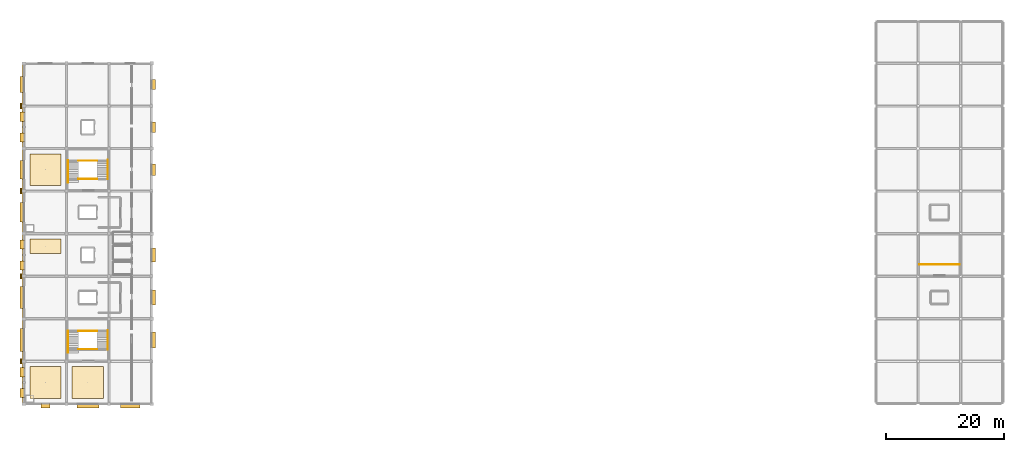
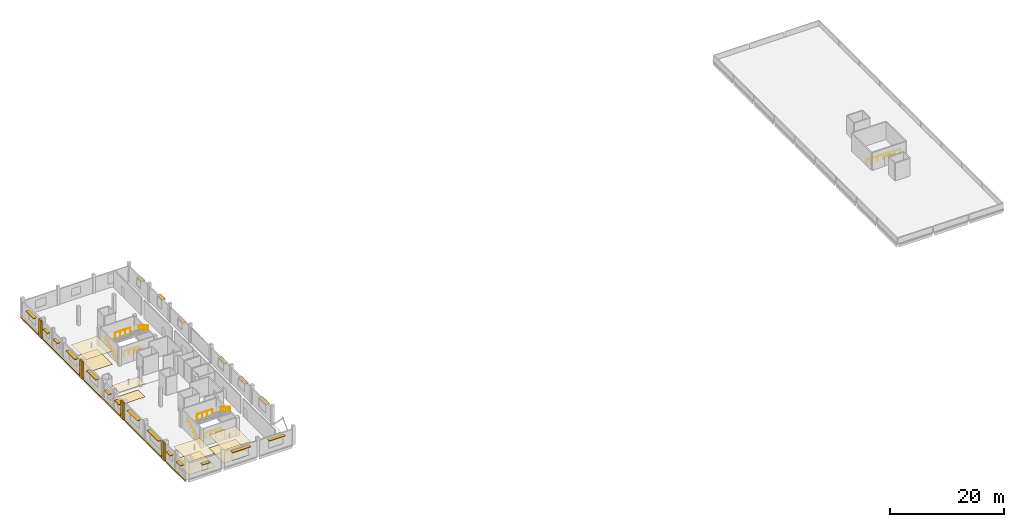
# One storey, part 14 of 15: 20 shading devices, 13 coverings, 9 railings.
"""IFC4 building model written with IfcOpenShell, lengths in metres."""

from ifc_helpers import new_model, si_unit, direction, frame, origin, origin_2d, place, context, subcontext, project, spatial, polyline, rectangle, circle, outline, extrude, material, layer, layer_set, type_object, element, save


model = new_model("IFC4")

# Units and contexts
model_context = context("Model", 3, precision=1e-05, world=origin(), true_north=direction((0.0, 1.0)))
body_context = subcontext(model_context, "Body", "Model", "MODEL_VIEW")
ifc_project = project(units=[si_unit("LENGTHUNIT", "METRE"), si_unit("AREAUNIT", "SQUARE_METRE"), si_unit("VOLUMEUNIT", "CUBIC_METRE"), si_unit("PLANEANGLEUNIT", "RADIAN"), si_unit("MASSUNIT", "GRAM", prefix="KILO")], contexts=[model_context])

# Site, building, storey
site_placement = place(None, origin())
site = spatial("IfcSite", under=ifc_project, at=site_placement, CompositionType="ELEMENT")
building_placement = place(site_placement, origin())
building = spatial("IfcBuilding", under=site, at=building_placement, Name="Kangsadwip Square Police Headquarters", CompositionType="ELEMENT")
storey_placement = place(building_placement, frame((0.0, 0.0, 29.699951171875)))
storey = spatial("IfcBuildingStorey", under=building, at=storey_placement, Name="L07", CompositionType="ELEMENT", Elevation=29.699951171875)

# Railings
ifc_material_1 = material(Name="Structural steel IS 2062 E250 (Grade 250, 250 MPa)", Category="steel")
railing_type_1 = type_object("IfcRailingType", Name="BalustradeGuard1100", PredefinedType="BALUSTRADE", material=ifc_material_1)
for number, where, name in (
    (1, (9.22998046875, 45.239990234375, 0.0), "Stair Guard ST-01 L07-32"),
    (2, (9.22998046875, 48.320068359375, 2.10595703125), "Stair Guard ST-01 L07-33"),
    (3, (9.22998046875, 74.0400390625, 0.0), "Stair Guard ST-02 L07-67"),
    (4, (9.22998046875, 77.1201171875, 2.10595703125), "Stair Guard ST-02 L07-68"),
):
    element("IfcRailing", number, at=place(storey_placement, frame(where)), inside=storey, type_object=railing_type_1, Name=name, PredefinedType="BALUSTRADE", context=body_context, shape_type="SweptSolid", body=[
        extrude(circle(Radius=0.02392578125, at=origin_2d()), frame((0.0, 0.0, 1.09619140625), z_axis=(1.0, 0.0, 0.0), x_axis=(0.0, 1.0, 0.0)), (0.0, 0.0, 1.0), 3.14013671875),
        extrude(circle(Radius=0.02099609375, at=origin_2d()), origin(), (0.0, 0.0, 1.0), 1.072021484375),
        extrude(circle(Radius=0.02099609375, at=origin_2d()), frame((1.046630859375, 0.0, 0.0)), (0.0, 0.0, 1.0), 1.072021484375),
        extrude(circle(Radius=0.02099609375, at=origin_2d()), frame((2.093505859375, 0.0, 0.0)), (0.0, 0.0, 1.0), 1.072021484375),
        extrude(circle(Radius=0.02099609375, at=origin_2d()), frame((3.14013671875, 0.0, 0.0)), (0.0, 0.0, 1.0), 1.072021484375),
    ])
railing_1_placement = place(storey_placement, frame((151.39990234375, 59.60009765625, 0.0)))
element("IfcRailing", 5, at=railing_1_placement, inside=storey, type_object=railing_type_1, Name="Top Stairwell Guard ST-03 L07", PredefinedType="BALUSTRADE", context=body_context, shape_type="SweptSolid", body=[
    extrude(circle(Radius=0.02392578125, at=origin_2d()), frame((0.0, 0.0, 1.09619140625), z_axis=(1.0, 0.0, 0.0), x_axis=(0.0, 1.0, 0.0)), (0.0, 0.0, 1.0), 6.800048828125),
    extrude(circle(Radius=0.02099609375, at=origin_2d()), origin(), (0.0, 0.0, 1.0), 1.072021484375),
    extrude(circle(Radius=0.02099609375, at=origin_2d()), frame((1.13330078125, 0.0, 0.0)), (0.0, 0.0, 1.0), 1.072021484375),
    extrude(circle(Radius=0.02099609375, at=origin_2d()), frame((2.2666015625, 0.0, 0.0)), (0.0, 0.0, 1.0), 1.072021484375),
    extrude(circle(Radius=0.02099609375, at=origin_2d()), frame((3.39990234375, 0.0, 0.0)), (0.0, 0.0, 1.0), 1.072021484375),
    extrude(circle(Radius=0.02099609375, at=origin_2d()), frame((4.533447265625, 0.0, 0.0)), (0.0, 0.0, 1.0), 1.072021484375),
    extrude(circle(Radius=0.02099609375, at=origin_2d()), frame((5.666748046875, 0.0, 0.0)), (0.0, 0.0, 1.0), 1.072021484375),
    extrude(circle(Radius=0.02099609375, at=origin_2d()), frame((6.800048828125, 0.0, 0.0)), (0.0, 0.0, 1.0), 1.072021484375),
])

# Coverings
ifc_material_2 = material(Name="Seamless anti-static epoxy and polished Kota stone interior flooring", Category="masonry")
ifc_layer_1 = layer(ifc_material_2, 0.02001953125)
ifc_layer_set_1 = layer_set([ifc_layer_1], Name="Seamless anti-static epoxy and polished Kota stone interior flooring")
covering_type_1 = type_object("IfcCoveringType", Name="InteriorStoneEpoxyFloor", PredefinedType="FLOORING", material=ifc_layer_set_1)
covering_1_placement = place(storey_placement, origin())
element("IfcCovering", 6, at=covering_1_placement, inside=storey, type_object=covering_type_1, Name="Interior Floor Finish L07-187", PredefinedType="FLOORING", context=body_context, shape_type="SweptSolid", body=[
    extrude(outline(polyline([(1.0, 36.89990234375), (6.300048828125, 36.89990234375), (6.300048828125, 42.300048828125), (1.0, 42.300048828125), (1.0, 36.89990234375)])), origin(), (0.0, 0.0, 1.0), 0.02001953125),
])
covering_2_placement = place(storey_placement, origin())
element("IfcCovering", 7, at=covering_2_placement, inside=storey, type_object=covering_type_1, Name="Interior Floor Finish L07-188", PredefinedType="FLOORING", context=body_context, shape_type="SweptSolid", body=[
    extrude(outline(polyline([(8.10009765625, 36.89990234375), (13.5, 36.89990234375), (13.5, 42.300048828125), (8.10009765625, 42.300048828125), (8.10009765625, 36.89990234375)])), origin(), (0.0, 0.0, 1.0), 0.02001953125),
])
covering_3_placement = place(storey_placement, origin())
element("IfcCovering", 8, at=covering_3_placement, inside=storey, type_object=covering_type_1, Name="Interior Floor Finish L07-189", PredefinedType="FLOORING", context=body_context, shape_type="SweptSolid", body=[
    extrude(outline(polyline([(1.0, 61.449951171875), (6.300048828125, 61.449951171875), (6.300048828125, 63.89990234375), (1.0, 63.89990234375), (1.0, 61.449951171875)])), origin(), (0.0, 0.0, 1.0), 0.02001953125),
])
covering_4_placement = place(storey_placement, origin())
element("IfcCovering", 9, at=covering_4_placement, inside=storey, type_object=covering_type_1, Name="Interior Floor Finish L07-190", PredefinedType="FLOORING", context=body_context, shape_type="SweptSolid", body=[
    extrude(outline(polyline([(1.0, 72.949951171875), (6.300048828125, 72.949951171875), (6.300048828125, 78.300048828125), (1.0, 78.300048828125), (1.0, 72.949951171875)])), origin(), (0.0, 0.0, 1.0), 0.02001953125),
])

# Railings
ifc_material_3 = material(Name="Structural steel IS 2062 E250 (Grade 250, 250 MPa)", Category="steel")
railing_type_2 = type_object("IfcRailingType", Name="StairPitchHandrail900", PredefinedType="HANDRAIL", material=ifc_material_3)
railing_2_placement = place(storey_placement, frame((7.43994140625, 44.639892578125, 0.0)))
element("IfcRailing", 10, at=railing_2_placement, inside=storey, type_object=railing_type_2, Name="Stair Handrail ST-01 L07-34", PredefinedType="HANDRAIL", context=body_context, shape_type="SweptSolid", body=[
    extrude(circle(Radius=0.02392578125, at=origin_2d()), frame((0.0, 0.0, 0.8759765625), z_axis=(0.0, 0.87023930122, 0.492629230367), x_axis=(-1.0, 0.0, 0.0)), (0.0, 0.0, 1.0), 4.27490234375),
    extrude(circle(Radius=0.02099609375, at=origin_2d()), origin(), (0.0, 0.0, 1.0), 0.851806640625),
    extrude(circle(Radius=0.02099609375, at=origin_2d()), frame((0.0, 0.93017578125, 0.5263671875)), (0.0, 0.0, 1.0), 0.851806640625),
    extrude(circle(Radius=0.02099609375, at=origin_2d()), frame((0.0, 1.860107421875, 1.052978515625)), (0.0, 0.0, 1.0), 0.851806640625),
    extrude(circle(Radius=0.02099609375, at=origin_2d()), frame((0.0, 2.7900390625, 1.57958984375)), (0.0, 0.0, 1.0), 0.851806640625),
    extrude(circle(Radius=0.02099609375, at=origin_2d()), frame((0.0, 3.72021484375, 2.10595703125)), (0.0, 0.0, 1.0), 0.851806640625),
])
railing_3_placement = place(storey_placement, frame((14.159912109375, 48.4599609375, 2.10595703125)))
element("IfcRailing", 11, at=railing_3_placement, inside=storey, type_object=railing_type_2, Name="Stair Handrail ST-01 L07-35", PredefinedType="HANDRAIL", context=body_context, shape_type="SweptSolid", body=[
    extrude(circle(Radius=0.02392578125, at=origin_2d()), frame((0.0, 0.0, 0.8759765625), z_axis=(0.0, -0.860248887005, 0.509874349626), x_axis=(1.0, 0.0, 0.0)), (0.0, 0.0, 1.0), 3.81298828125),
    extrude(circle(Radius=0.02099609375, at=origin_2d()), origin(), (0.0, 0.0, 1.0), 0.851806640625),
    extrude(circle(Radius=0.02099609375, at=origin_2d()), frame((0.0, -0.820068359375, 0.486083984375)), (0.0, 0.0, 1.0), 0.851806640625),
    extrude(circle(Radius=0.02099609375, at=origin_2d()), frame((0.0, -1.64013671875, 0.97216796875)), (0.0, 0.0, 1.0), 0.851806640625),
    extrude(circle(Radius=0.02099609375, at=origin_2d()), frame((0.0, -2.4599609375, 1.4580078125)), (0.0, 0.0, 1.0), 0.851806640625),
    extrude(circle(Radius=0.02099609375, at=origin_2d()), frame((0.0, -3.280029296875, 1.944091796875)), (0.0, 0.0, 1.0), 0.851806640625),
])
railing_4_placement = place(storey_placement, frame((7.43994140625, 73.43994140625, 0.0)))
element("IfcRailing", 12, at=railing_4_placement, inside=storey, type_object=railing_type_2, Name="Stair Handrail ST-02 L07-69", PredefinedType="HANDRAIL", context=body_context, shape_type="SweptSolid", body=[
    extrude(circle(Radius=0.02392578125, at=origin_2d()), frame((0.0, 0.0, 0.8759765625), z_axis=(0.0, 0.870225440575, 0.492653714668), x_axis=(-1.0, 0.0, 0.0)), (0.0, 0.0, 1.0), 4.274658203125),
    extrude(circle(Radius=0.02099609375, at=origin_2d()), origin(), (0.0, 0.0, 1.0), 0.851806640625),
    extrude(circle(Radius=0.02099609375, at=origin_2d()), frame((0.0, 0.929931640625, 0.5263671875)), (0.0, 0.0, 1.0), 0.851806640625),
    extrude(circle(Radius=0.02099609375, at=origin_2d()), frame((0.0, 1.85986328125, 1.052978515625)), (0.0, 0.0, 1.0), 0.851806640625),
    extrude(circle(Radius=0.02099609375, at=origin_2d()), frame((0.0, 2.7900390625, 1.57958984375)), (0.0, 0.0, 1.0), 0.851806640625),
    extrude(circle(Radius=0.02099609375, at=origin_2d()), frame((0.0, 3.719970703125, 2.10595703125)), (0.0, 0.0, 1.0), 0.851806640625),
])
railing_5_placement = place(storey_placement, frame((14.159912109375, 77.260009765625, 2.10595703125)))
element("IfcRailing", 13, at=railing_5_placement, inside=storey, type_object=railing_type_2, Name="Stair Handrail ST-02 L07-70", PredefinedType="HANDRAIL", context=body_context, shape_type="SweptSolid", body=[
    extrude(circle(Radius=0.02392578125, at=origin_2d()), frame((0.0, 0.0, 0.8759765625), z_axis=(0.0, -0.860248887005, 0.509874349626), x_axis=(1.0, 0.0, 0.0)), (0.0, 0.0, 1.0), 3.81298828125),
    extrude(circle(Radius=0.02099609375, at=origin_2d()), origin(), (0.0, 0.0, 1.0), 0.851806640625),
    extrude(circle(Radius=0.02099609375, at=origin_2d()), frame((0.0, -0.820068359375, 0.486083984375)), (0.0, 0.0, 1.0), 0.851806640625),
    extrude(circle(Radius=0.02099609375, at=origin_2d()), frame((0.0, -1.64013671875, 0.97216796875)), (0.0, 0.0, 1.0), 0.851806640625),
    extrude(circle(Radius=0.02099609375, at=origin_2d()), frame((0.0, -2.4599609375, 1.4580078125)), (0.0, 0.0, 1.0), 0.851806640625),
    extrude(circle(Radius=0.02099609375, at=origin_2d()), frame((0.0, -3.280029296875, 1.944091796875)), (0.0, 0.0, 1.0), 0.851806640625),
])

# Coverings
ifc_material_4 = material(Name="Perforated mineral-fibre and acoustic baffle suspended ceiling", Category="wood")
ifc_layer_2 = layer(ifc_material_4, 0.02490234375)
ifc_layer_set_2 = layer_set([ifc_layer_2], Name="Perforated mineral-fibre and acoustic baffle suspended ceiling")
covering_type_2 = type_object("IfcCoveringType", Name="SuspendedAcousticCeiling", PredefinedType="CEILING", material=ifc_layer_set_2)
covering_5_placement = place(storey_placement, frame((0.0, 0.0, 2.800048828125)))
element("IfcCovering", 14, at=covering_5_placement, inside=storey, type_object=covering_type_2, Name="Suspended Acoustic Ceiling L07-187", PredefinedType="CEILING", context=body_context, shape_type="SweptSolid", body=[
    extrude(outline(polyline([(1.0, 36.89990234375), (6.300048828125, 36.89990234375), (6.300048828125, 42.300048828125), (1.0, 42.300048828125), (1.0, 36.89990234375)])), origin(), (0.0, 0.0, 1.0), 0.02490234375),
])
covering_6_placement = place(storey_placement, frame((0.0, 0.0, 2.800048828125)))
element("IfcCovering", 15, at=covering_6_placement, inside=storey, type_object=covering_type_2, Name="Suspended Acoustic Ceiling L07-188", PredefinedType="CEILING", context=body_context, shape_type="SweptSolid", body=[
    extrude(outline(polyline([(8.10009765625, 36.89990234375), (13.5, 36.89990234375), (13.5, 42.300048828125), (8.10009765625, 42.300048828125), (8.10009765625, 36.89990234375)])), origin(), (0.0, 0.0, 1.0), 0.02490234375),
])
covering_7_placement = place(storey_placement, frame((0.0, 0.0, 2.800048828125)))
element("IfcCovering", 16, at=covering_7_placement, inside=storey, type_object=covering_type_2, Name="Suspended Acoustic Ceiling L07-189", PredefinedType="CEILING", context=body_context, shape_type="SweptSolid", body=[
    extrude(outline(polyline([(1.0, 61.449951171875), (6.300048828125, 61.449951171875), (6.300048828125, 63.89990234375), (1.0, 63.89990234375), (1.0, 61.449951171875)])), origin(), (0.0, 0.0, 1.0), 0.02490234375),
])
covering_8_placement = place(storey_placement, frame((0.0, 0.0, 2.800048828125)))
element("IfcCovering", 17, at=covering_8_placement, inside=storey, type_object=covering_type_2, Name="Suspended Acoustic Ceiling L07-190", PredefinedType="CEILING", context=body_context, shape_type="SweptSolid", body=[
    extrude(outline(polyline([(1.0, 72.949951171875), (6.300048828125, 72.949951171875), (6.300048828125, 78.300048828125), (1.0, 78.300048828125), (1.0, 72.949951171875)])), origin(), (0.0, 0.0, 1.0), 0.02490234375),
])
ifc_material_5 = material(Name="Glazed architectural terracotta masonry rainscreen", Category="masonry")
ifc_layer_3 = layer(ifc_material_5, 0.034912109375)
ifc_layer_set_3 = layer_set([ifc_layer_3], Name="Glazed architectural terracotta masonry rainscreen")
covering_type_3 = type_object("IfcCoveringType", Name="TerracottaPierCladding", PredefinedType="CLADDING", material=ifc_layer_set_3)
covering_9_placement = place(storey_placement, origin())
element("IfcCovering", 18, at=covering_9_placement, inside=storey, type_object=covering_type_3, Name="Terracotta Pier Cladding L07-150", PredefinedType="CLADDING", context=body_context, shape_type="SweptSolid", body=[
    extrude(outline(polyline([(-0.64990234375, 42.760009765625), (-0.330078125, 42.760009765625), (-0.330078125, 43.639892578125), (-0.64990234375, 43.639892578125), (-0.64990234375, 42.760009765625)])), origin(), (0.0, 0.0, 1.0), 3.800048828125),
])
covering_10_placement = place(storey_placement, origin())
element("IfcCovering", 19, at=covering_10_placement, inside=storey, type_object=covering_type_3, Name="Terracotta Pier Cladding L07-151", PredefinedType="CLADDING", context=body_context, shape_type="SweptSolid", body=[
    extrude(outline(polyline([(-0.64990234375, 57.159912109375), (-0.330078125, 57.159912109375), (-0.330078125, 58.0400390625), (-0.64990234375, 58.0400390625), (-0.64990234375, 57.159912109375)])), origin(), (0.0, 0.0, 1.0), 3.800048828125),
])
covering_11_placement = place(storey_placement, origin())
element("IfcCovering", 20, at=covering_11_placement, inside=storey, type_object=covering_type_3, Name="Terracotta Pier Cladding L07-152", PredefinedType="CLADDING", context=body_context, shape_type="SweptSolid", body=[
    extrude(outline(polyline([(-0.64990234375, 71.56005859375), (-0.330078125, 71.56005859375), (-0.330078125, 72.43994140625), (-0.64990234375, 72.43994140625), (-0.64990234375, 71.56005859375)])), origin(), (0.0, 0.0, 1.0), 3.800048828125),
])
covering_12_placement = place(storey_placement, origin())
element("IfcCovering", 21, at=covering_12_placement, inside=storey, type_object=covering_type_3, Name="Terracotta Pier Cladding L07-153", PredefinedType="CLADDING", context=body_context, shape_type="SweptSolid", body=[
    extrude(outline(polyline([(-0.64990234375, 85.9599609375), (-0.330078125, 85.9599609375), (-0.330078125, 86.840087890625), (-0.64990234375, 86.840087890625), (-0.64990234375, 85.9599609375)])), origin(), (0.0, 0.0, 1.0), 3.800048828125),
])
covering_13_placement = place(storey_placement, frame((0.0, 0.0, -0.219970703125)))
element("IfcCovering", 22, at=covering_13_placement, inside=storey, type_object=covering_type_3, Name="Terracotta Cornice Belt L07-156", PredefinedType="CLADDING", context=body_context, shape_type="SweptSolid", body=[
    extrude(outline(polyline([(-0.360107421875, 36.0), (0.02001953125, 36.0), (0.02001953125, 93.60009765625), (-0.360107421875, 93.60009765625), (-0.360107421875, 36.0)])), origin(), (0.0, 0.0, 1.0), 0.239990234375),
])

# Shading devices
ifc_material_6 = material(Name="Architectural terracotta and anodised aluminium AW-6061-T6", Category="aluminium")
shading_device_type = type_object("IfcShadingDeviceType", Name="TerracottaChhajjaAwning", PredefinedType="AWNING", material=ifc_material_6)
shading_device_1_placement = place(storey_placement, frame((3.637451171875, 35.699951171875, 2.365234375), z_axis=(0.0, 0.0, 1.0), x_axis=(1.0, 0.0, 0.0)))
element("IfcShadingDevice", 23, at=shading_device_1_placement, inside=storey, type_object=shading_device_type, Name="Terracotta Chhajja Hood CHJ-L07-0347", PredefinedType="AWNING", context=body_context, shape_type="SweptSolid", body=[
    extrude(rectangle(XDim=1.550048828125, YDim=0.719970703125, at=origin_2d()), origin(), (0.0, 0.0, 1.0), 0.090087890625),
])
shading_device_2_placement = place(storey_placement, frame((10.8125, 35.699951171875, 2.865234375), z_axis=(0.0, 0.0, 1.0), x_axis=(1.0, 0.0, 0.0)))
element("IfcShadingDevice", 24, at=shading_device_2_placement, inside=storey, type_object=shading_device_type, Name="Terracotta Chhajja Hood CHJ-L07-0348", PredefinedType="AWNING", context=body_context, shape_type="SweptSolid", body=[
    extrude(rectangle(XDim=3.699951171875, YDim=0.719970703125, at=origin_2d()), origin(), (0.0, 0.0, 1.0), 0.090087890625),
])
shading_device_3_placement = place(storey_placement, frame((17.987548828125, 35.699951171875, 2.76513671875), z_axis=(0.0, 0.0, 1.0), x_axis=(1.0, 0.0, 0.0)))
element("IfcShadingDevice", 25, at=shading_device_3_placement, inside=storey, type_object=shading_device_type, Name="Terracotta Chhajja Hood CHJ-L07-0349", PredefinedType="AWNING", context=body_context, shape_type="SweptSolid", body=[
    extrude(rectangle(XDim=3.300048828125, YDim=0.719970703125, at=origin_2d()), origin(), (0.0, 0.0, 1.0), 0.090087890625),
])
for number, where, z_axis, x_axis, name in (
    (26, (-0.300048828125, 37.83740234375, 2.365234375), (0.0, 0.0, 1.0), (0.0, 1.0, 0.0), "Terracotta Chhajja Hood CHJ-L07-0350"),
    (27, (-0.300048828125, 41.362548828125, 2.365234375), (0.0, 0.0, 1.0), (0.0, 1.0, 0.0), "Terracotta Chhajja Hood CHJ-L07-0351"),
):
    element("IfcShadingDevice", number, at=place(storey_placement, frame(where, z_axis=z_axis, x_axis=x_axis)), inside=storey, type_object=shading_device_type, Name=name, PredefinedType="AWNING", context=body_context, shape_type="SweptSolid", body=[
        extrude(rectangle(XDim=1.550048828125, YDim=0.719970703125, at=origin_2d()), origin(), (0.0, 0.0, 1.0), 0.090087890625),
    ])
shading_device_4_placement = place(storey_placement, frame((-0.300048828125, 46.800048828125, 2.9150390625), z_axis=(0.0, 0.0, 1.0), x_axis=(0.0, 1.0, 0.0)))
element("IfcShadingDevice", 28, at=shading_device_4_placement, inside=storey, type_object=shading_device_type, Name="Terracotta Chhajja Hood CHJ-L07-0352", PredefinedType="AWNING", context=body_context, shape_type="SweptSolid", body=[
    extrude(rectangle(XDim=3.89990234375, YDim=0.719970703125, at=origin_2d()), origin(), (0.0, 0.0, 1.0), 0.090087890625),
])
shading_device_5_placement = place(storey_placement, frame((-0.300048828125, 54.0, 2.865234375), z_axis=(0.0, 0.0, 1.0), x_axis=(0.0, 1.0, 0.0)))
element("IfcShadingDevice", 29, at=shading_device_5_placement, inside=storey, type_object=shading_device_type, Name="Terracotta Chhajja Hood CHJ-L07-0353", PredefinedType="AWNING", context=body_context, shape_type="SweptSolid", body=[
    extrude(rectangle(XDim=3.699951171875, YDim=0.719970703125, at=origin_2d()), origin(), (0.0, 0.0, 1.0), 0.090087890625),
])
for number, where, z_axis, x_axis, name in (
    (30, (-0.300048828125, 59.4375, 2.365234375), (0.0, 0.0, 1.0), (0.0, 1.0, 0.0), "Terracotta Chhajja Hood CHJ-L07-0354"),
    (31, (-0.300048828125, 62.96240234375, 2.365234375), (0.0, 0.0, 1.0), (0.0, 1.0, 0.0), "Terracotta Chhajja Hood CHJ-L07-0355"),
):
    element("IfcShadingDevice", number, at=place(storey_placement, frame(where, z_axis=z_axis, x_axis=x_axis)), inside=storey, type_object=shading_device_type, Name=name, PredefinedType="AWNING", context=body_context, shape_type="SweptSolid", body=[
        extrude(rectangle(XDim=1.550048828125, YDim=0.719970703125, at=origin_2d()), origin(), (0.0, 0.0, 1.0), 0.090087890625),
    ])
shading_device_6_placement = place(storey_placement, frame((-0.300048828125, 68.39990234375, 2.76513671875), z_axis=(0.0, 0.0, 1.0), x_axis=(0.0, 1.0, 0.0)))
element("IfcShadingDevice", 32, at=shading_device_6_placement, inside=storey, type_object=shading_device_type, Name="Terracotta Chhajja Hood CHJ-L07-0356", PredefinedType="AWNING", context=body_context, shape_type="SweptSolid", body=[
    extrude(rectangle(XDim=3.300048828125, YDim=0.719970703125, at=origin_2d()), origin(), (0.0, 0.0, 1.0), 0.090087890625),
])
shading_device_7_placement = place(storey_placement, frame((-0.300048828125, 75.60009765625, 2.71484375), z_axis=(0.0, 0.0, 1.0), x_axis=(0.0, 1.0, 0.0)))
element("IfcShadingDevice", 33, at=shading_device_7_placement, inside=storey, type_object=shading_device_type, Name="Terracotta Chhajja Hood CHJ-L07-0357", PredefinedType="AWNING", context=body_context, shape_type="SweptSolid", body=[
    extrude(rectangle(XDim=3.10009765625, YDim=0.719970703125, at=origin_2d()), origin(), (0.0, 0.0, 1.0), 0.090087890625),
])
for number, where, z_axis, x_axis, name in (
    (34, (-0.300048828125, 81.03759765625, 2.365234375), (0.0, 0.0, 1.0), (0.0, 1.0, 0.0), "Terracotta Chhajja Hood CHJ-L07-0358"),
    (35, (-0.300048828125, 84.5625, 2.365234375), (0.0, 0.0, 1.0), (0.0, 1.0, 0.0), "Terracotta Chhajja Hood CHJ-L07-0359"),
):
    element("IfcShadingDevice", number, at=place(storey_placement, frame(where, z_axis=z_axis, x_axis=x_axis)), inside=storey, type_object=shading_device_type, Name=name, PredefinedType="AWNING", context=body_context, shape_type="SweptSolid", body=[
        extrude(rectangle(XDim=1.550048828125, YDim=0.719970703125, at=origin_2d()), origin(), (0.0, 0.0, 1.0), 0.090087890625),
    ])
for number, where, z_axis, x_axis, name in (
    (36, (-0.300048828125, 90.0, 2.615234375), (0.0, 0.0, 1.0), (0.0, 1.0, 0.0), "Terracotta Chhajja Hood CHJ-L07-0360"),
    (37, (21.89990234375, 46.78759765625, 2.615234375), (0.0, 0.0, 1.0), (0.0, 1.0, 0.0), "Terracotta Chhajja Hood CHJ-L07-0361"),
):
    element("IfcShadingDevice", number, at=place(storey_placement, frame(where, z_axis=z_axis, x_axis=x_axis)), inside=storey, type_object=shading_device_type, Name=name, PredefinedType="AWNING", context=body_context, shape_type="SweptSolid", body=[
        extrude(rectangle(XDim=2.699951171875, YDim=0.719970703125, at=origin_2d()), origin(), (0.0, 0.0, 1.0), 0.090087890625),
    ])
shading_device_8_placement = place(storey_placement, frame((21.89990234375, 54.012451171875, 2.56494140625), z_axis=(0.0, 0.0, 1.0), x_axis=(0.0, 1.0, 0.0)))
element("IfcShadingDevice", 38, at=shading_device_8_placement, inside=storey, type_object=shading_device_type, Name="Terracotta Chhajja Hood CHJ-L07-0362", PredefinedType="AWNING", context=body_context, shape_type="SweptSolid", body=[
    extrude(rectangle(XDim=2.5, YDim=0.719970703125, at=origin_2d()), origin(), (0.0, 0.0, 1.0), 0.090087890625),
])
shading_device_9_placement = place(storey_placement, frame((21.89990234375, 61.1875, 2.51513671875), z_axis=(0.0, 0.0, 1.0), x_axis=(0.0, 1.0, 0.0)))
element("IfcShadingDevice", 39, at=shading_device_9_placement, inside=storey, type_object=shading_device_type, Name="Terracotta Chhajja Hood CHJ-L07-0363", PredefinedType="AWNING", context=body_context, shape_type="SweptSolid", body=[
    extrude(rectangle(XDim=2.300048828125, YDim=0.719970703125, at=origin_2d()), origin(), (0.0, 0.0, 1.0), 0.090087890625),
])
shading_device_10_placement = place(storey_placement, frame((21.89990234375, 75.58740234375, 2.4150390625), z_axis=(0.0, 0.0, 1.0), x_axis=(0.0, 1.0, 0.0)))
element("IfcShadingDevice", 40, at=shading_device_10_placement, inside=storey, type_object=shading_device_type, Name="Terracotta Chhajja Hood CHJ-L07-0364", PredefinedType="AWNING", context=body_context, shape_type="SweptSolid", body=[
    extrude(rectangle(XDim=1.949951171875, YDim=0.719970703125, at=origin_2d()), origin(), (0.0, 0.0, 1.0), 0.090087890625),
])
shading_device_11_placement = place(storey_placement, frame((21.89990234375, 82.8125, 2.9150390625), z_axis=(0.0, 0.0, 1.0), x_axis=(0.0, 1.0, 0.0)))
element("IfcShadingDevice", 41, at=shading_device_11_placement, inside=storey, type_object=shading_device_type, Name="Terracotta Chhajja Hood CHJ-L07-0365", PredefinedType="AWNING", context=body_context, shape_type="SweptSolid", body=[
    extrude(rectangle(XDim=1.800048828125, YDim=0.719970703125, at=origin_2d()), origin(), (0.0, 0.0, 1.0), 0.090087890625),
])
shading_device_12_placement = place(storey_placement, frame((21.89990234375, 89.987548828125, 2.46484375), z_axis=(0.0, 0.0, 1.0), x_axis=(0.0, 1.0, 0.0)))
element("IfcShadingDevice", 42, at=shading_device_12_placement, inside=storey, type_object=shading_device_type, Name="Terracotta Chhajja Hood CHJ-L07-0366", PredefinedType="AWNING", context=body_context, shape_type="SweptSolid", body=[
    extrude(rectangle(XDim=1.699951171875, YDim=0.719970703125, at=origin_2d()), origin(), (0.0, 0.0, 1.0), 0.090087890625),
])

save(model, "model.ifc")
